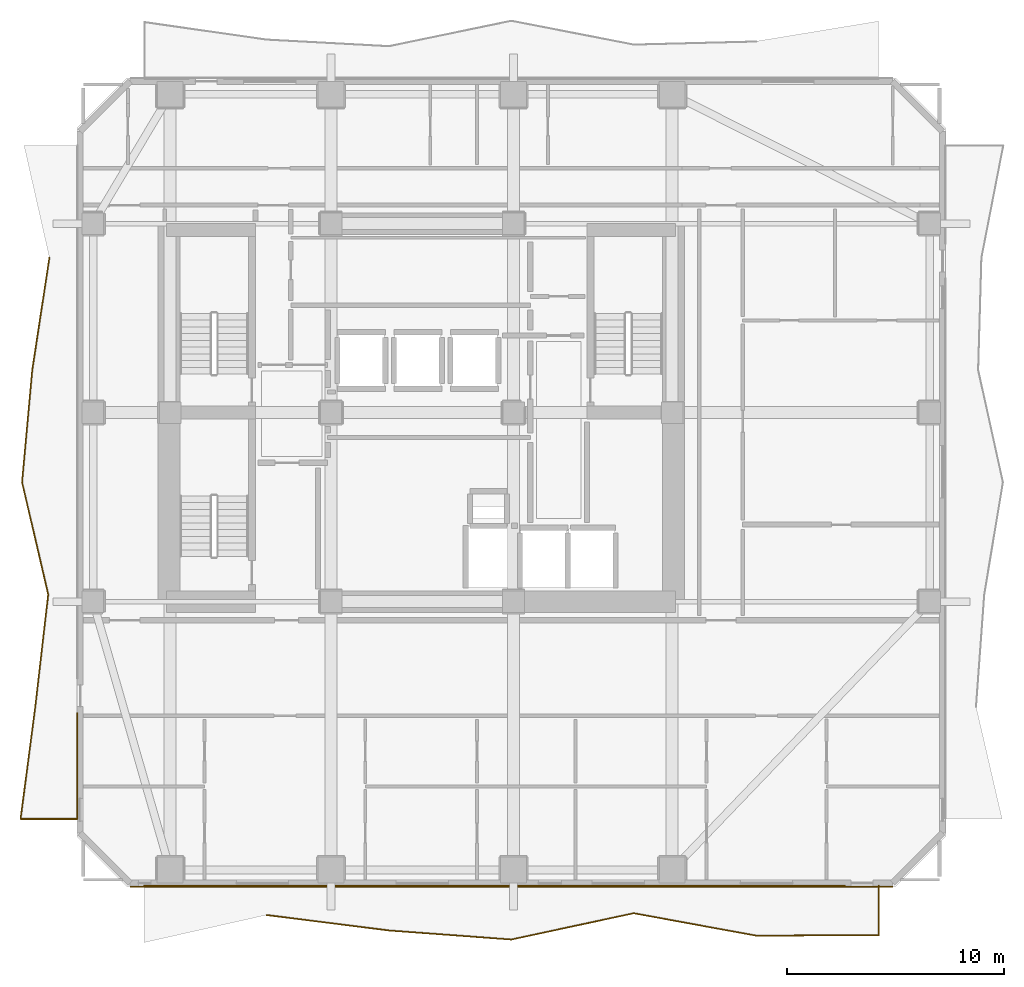
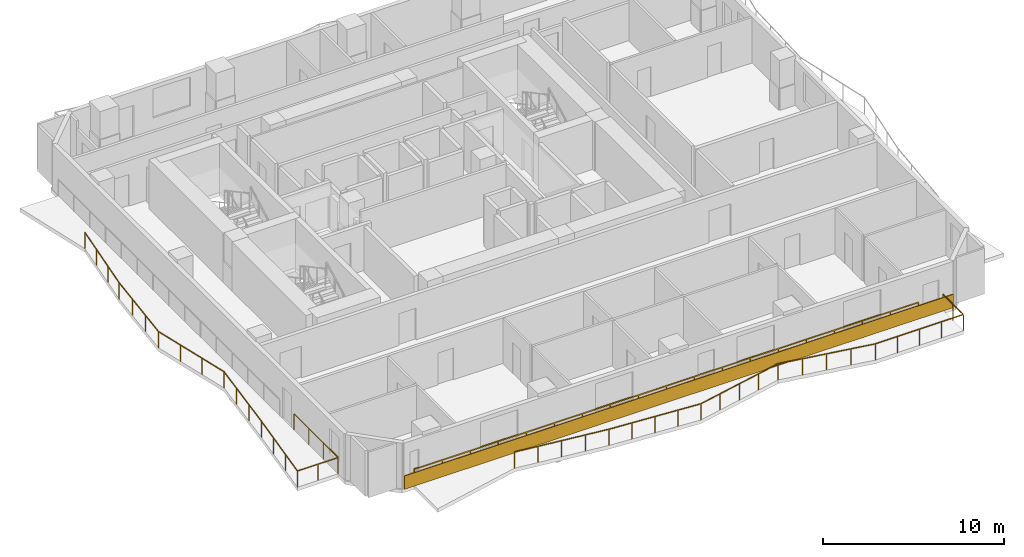
# One storey, part 7 of 9: 3 railings, 1 covering.
"""IFC4 building model written with IfcOpenShell, lengths in metres."""

import ifcopenshell
import ifcopenshell.guid

model = None  # the IFC model being written
_history = None  # IfcOwnerHistory: only IFC2X3 demands one
_inside = {}  # id of a spatial element -> (the spatial element, [elements in it])
_under = {}  # id of a project, library or spatial element -> (it, [spatial elements below it])
_declared = {}  # id of a project -> (the project, [libraries it declares])
_typed = {}  # id of a type object -> (the type object, [elements of that type])
_made_of = {}  # id of a material, layer set ... -> (it, [elements and type objects made of it])


def new_model(schema):
    """Start an empty IFC model of exactly this schema.

    Asked for "IFC4X3", IfcOpenShell would pick the latest addendum, in which some entities
    have other attributes; the version numbers below select the first issue.
    IFC2X3 requires an IfcOwnerHistory on every rooted entity: one is made here for all.
    """
    global model, _history
    if schema == "IFC4X3":
        model = ifcopenshell.file(schema_version=(4, 3, 0, 0))
    else:
        model = ifcopenshell.file(schema=schema)
    _inside.clear()
    _under.clear()
    _declared.clear()
    _typed.clear()
    _made_of.clear()
    _history = None
    if model.schema == "IFC2X3":
        org = make("IfcOrganization", Name="unknown")
        user = make(
            "IfcPersonAndOrganization",
            ThePerson=make("IfcPerson", FamilyName="unknown"),
            TheOrganization=org,
        )
        app = make(
            "IfcApplication",
            ApplicationDeveloper=org,
            Version="unknown",
            ApplicationFullName="unknown",
            ApplicationIdentifier="unknown",
        )
        _history = make(
            "IfcOwnerHistory",
            OwningUser=user,
            OwningApplication=app,
            ChangeAction="ADDED",
            CreationDate=0,
        )
    return model


def make(cls, **values):
    """One entity of the class cls with the attributes given. An attribute that is None is left unset."""
    return model.create_entity(
        cls, **{name: value for name, value in values.items() if value is not None}
    )


def rooted(cls, **values):
    """An entity with a GlobalId (a new one), such as an element, a storey or a relation."""
    return make(cls, GlobalId=ifcopenshell.guid.new(), OwnerHistory=_history, **values)


def si_unit(unit_type, name, prefix=None):
    """IfcSIUnit, for example si_unit("LENGTHUNIT", "METRE", prefix="MILLI")."""
    return make("IfcSIUnit", UnitType=unit_type, Prefix=prefix, Name=name)


def assignment(units):
    """IfcUnitAssignment: the units of a project."""
    return None if units is None else make("IfcUnitAssignment", Units=units)


def point(xyz):
    """IfcCartesianPoint."""
    return None if xyz is None else make("IfcCartesianPoint", Coordinates=xyz)


def direction(xyz):
    """IfcDirection."""
    return None if xyz is None else make("IfcDirection", DirectionRatios=xyz)


def frame(location, z_axis=None, x_axis=None):
    """IfcAxis2Placement3D, a coordinate frame: its origin and axes. An axis left out is left unset."""
    return make(
        "IfcAxis2Placement3D",
        Location=point(location),
        Axis=direction(z_axis),
        RefDirection=direction(x_axis),
    )


def frame_2d(location, x_axis=None):
    """IfcAxis2Placement2D, a coordinate frame in the plane: its origin and x axis."""
    return make(
        "IfcAxis2Placement2D", Location=point(location), RefDirection=direction(x_axis)
    )


def origin():
    """The frame at (0, 0, 0) with its axes left unset."""
    return frame((0.0, 0.0, 0.0))


def origin_2d():
    """The frame at (0, 0) in the plane with its x axis left unset."""
    return frame_2d((0.0, 0.0))


def place(relative_to, where):
    """IfcLocalPlacement: puts the frame where relative to a parent placement (None: the world)."""
    return make(
        "IfcLocalPlacement", PlacementRelTo=relative_to, RelativePlacement=where
    )


def context(
    kind, dimensions, precision=None, world=None, true_north=None, identifier=None
):
    """IfcGeometricRepresentationContext, for example the 3D "Model" context."""
    return make(
        "IfcGeometricRepresentationContext",
        ContextIdentifier=identifier,
        ContextType=kind,
        CoordinateSpaceDimension=dimensions,
        Precision=precision,
        WorldCoordinateSystem=world,
        TrueNorth=true_north,
    )


def subcontext(parent, identifier, kind, view, scale=None):
    """IfcGeometricRepresentationSubContext, for example "Body" below "Model"."""
    return make(
        "IfcGeometricRepresentationSubContext",
        ContextIdentifier=identifier,
        ContextType=kind,
        ParentContext=parent,
        TargetScale=scale,
        TargetView=view,
    )


def project(units=None, contexts=None):
    """IfcProject with its units and contexts."""
    return rooted(
        "IfcProject",
        Name="project",
        RepresentationContexts=contexts,
        UnitsInContext=assignment(units),
    )


def spatial(cls, under=None, at=None, **own):
    """A site, building, storey or space (cls), placed at a placement, below another one or the project."""
    s = rooted(cls, ObjectPlacement=at, **own)
    if under is not None:
        _under.setdefault(under.id(), (under, []))[1].append(s)
    return s


def profile(cls, at=None, kind="AREA", **sizes):
    """A parametric profile (cls). Its sizes go by their IFC names, for example OverallWidth=200.0."""
    return make(cls, ProfileType=kind, Position=at, **sizes)


def rectangle(**sizes):
    """IfcRectangleProfileDef."""
    return profile("IfcRectangleProfileDef", **sizes)


def extrude(swept, where, along, depth):
    """IfcExtrudedAreaSolid: the profile swept, set in the frame where, extruded along a direction by depth."""
    return make(
        "IfcExtrudedAreaSolid",
        SweptArea=swept,
        Position=where,
        ExtrudedDirection=direction(along),
        Depth=depth,
    )


def shape(context_of_items, identifier, shape_type, items):
    """IfcShapeRepresentation: the items that make up one representation, for example the "Body"."""
    return make(
        "IfcShapeRepresentation",
        ContextOfItems=context_of_items,
        RepresentationIdentifier=identifier,
        RepresentationType=shape_type,
        Items=items,
    )


def material(Name=None, Category=None):
    """IfcMaterial."""
    return make("IfcMaterial", Name=Name, Category=Category)


def layer(
    of_material, thickness, ventilated=None, Name=None, Category=None, Priority=None
):
    """IfcMaterialLayer: one layer of a wall or slab, of a material (None: an air gap)."""
    return make(
        "IfcMaterialLayer",
        Material=of_material,
        LayerThickness=thickness,
        IsVentilated=ventilated,
        Name=Name,
        Category=Category,
        Priority=Priority,
    )


def layer_set(layers, Name=None):
    """IfcMaterialLayerSet."""
    return make("IfcMaterialLayerSet", MaterialLayers=layers, LayerSetName=Name)


def made_of(thing, what):
    """Note that an element or type object is made of a material, layer set ...; save() writes the relation."""
    if what is not None:
        _made_of.setdefault(what.id(), (what, []))[1].append(thing)
    return thing


def type_object(cls, material=None, **own):
    """A type object (cls), such as IfcWallType, which elements share."""
    return made_of(rooted(cls, **own), material)


def element(
    cls,
    number,
    at=None,
    inside=None,
    cuts=None,
    type_object=None,
    material=None,
    context=None,
    identifier="Body",
    shape_type=None,
    held_by="IfcProductDefinitionShape",
    body=None,
    shapes=None,
    **own,
):
    """One element of the class cls, such as IfcWall. Its Tag is "e" and its number.

    at: its placement. inside: the storey or other place that contains it. cuts: it is an
    opening in that element (IfcRelVoidsElement). A single representation is given by context,
    identifier, shape_type and body (its items); several are given by shapes. held_by: the class
    of the entity that holds the representations. save() writes the other relations.
    """
    e = rooted(cls, Tag="e%d" % number, ObjectPlacement=at, **own)
    if body is not None:
        shapes = [shape(context, identifier, shape_type, body)]
    if shapes is not None:
        e.Representation = make(held_by, Representations=shapes)
    if inside is not None:
        _inside.setdefault(inside.id(), (inside, []))[1].append(e)
    if cuts is not None:
        rooted(
            "IfcRelVoidsElement", RelatingBuildingElement=cuts, RelatedOpeningElement=e
        )
    if type_object is not None:
        _typed.setdefault(type_object.id(), (type_object, []))[1].append(e)
    return made_of(e, material)


def aggregate(whole, parts):
    """IfcRelAggregates: a whole, such as a stair, and the parts it consists of."""
    return rooted("IfcRelAggregates", RelatingObject=whole, RelatedObjects=parts)


def save(model, path):
    """Write the relations noted so far, then the file.

    IfcRelAggregates (storeys below a building ...), IfcRelContainedInSpatialStructure (elements
    in a storey), IfcRelDefinesByType, IfcRelAssociatesMaterial and IfcRelDeclares: one each for
    every whole, place, type object, material and project.
    """
    for whole, parts in _under.values():
        aggregate(whole, parts)
    for where, things in _inside.values():
        rooted(
            "IfcRelContainedInSpatialStructure",
            RelatedElements=things,
            RelatingStructure=where,
        )
    for kind, things in _typed.values():
        rooted("IfcRelDefinesByType", RelatedObjects=things, RelatingType=kind)
    for what, things in _made_of.values():
        rooted("IfcRelAssociatesMaterial", RelatedObjects=things, RelatingMaterial=what)
    for by, libraries in _declared.values():
        rooted("IfcRelDeclares", RelatingContext=by, RelatedDefinitions=libraries)
    model.write(path)


model = new_model("IFC4")

# Units and contexts
model_context = context("Model", 3, precision=1e-05, world=origin(), true_north=direction((0.0, 1.0)))
body_context = subcontext(model_context, "Body", "Model", "MODEL_VIEW")
ifc_project = project(units=[si_unit("LENGTHUNIT", "METRE"), si_unit("AREAUNIT", "SQUARE_METRE"), si_unit("VOLUMEUNIT", "CUBIC_METRE"), si_unit("PLANEANGLEUNIT", "RADIAN"), si_unit("MASSUNIT", "GRAM", prefix="KILO")], contexts=[model_context])

# Site, building, storey
site_placement = place(None, origin())
site = spatial("IfcSite", under=ifc_project, at=site_placement, CompositionType="ELEMENT")
building_placement = place(site_placement, origin())
building = spatial("IfcBuilding", under=site, at=building_placement, Name="Solanera Arch Residences", CompositionType="ELEMENT")
storey_placement = place(building_placement, frame((0.0, 0.0, 135.9599609375)))
storey = spatial("IfcBuildingStorey", under=building, at=storey_placement, Name="L39", CompositionType="ELEMENT", Elevation=135.9599609375)

# Railings
ifc_material_1 = material(Name="Steel S355 (ASTM A992 / A572 Grade 50)", Category="steel")
railing_type = type_object("IfcRailingType", Name="Balustrade Railing BL-1100", PredefinedType="BALUSTRADE", material=ifc_material_1)
railing_1_placement = place(storey_placement, frame((17.8330078125, 7.5791015625, 0.0)))
element("IfcRailing", 1, at=railing_1_placement, inside=storey, type_object=railing_type, Name="L39 S Balcony Balustrade 1", PredefinedType="BALUSTRADE", context=body_context, shape_type="SweptSolid", body=[
    extrude(rectangle(XDim=0.048095703125, YDim=0.048095703125, at=origin_2d()), frame((0.0, 0.0, 1.09619140625), z_axis=(0.992105627374, -0.125405040302, 0.0), x_axis=(0.125405040302, 0.992105627374, 0.0)), (0.0, 0.0, 1.0), 5.678955078125),
    extrude(rectangle(XDim=0.048095703125, YDim=0.048095703125, at=origin_2d()), frame((5.634033203125, -0.712158203125, 1.09619140625), z_axis=(0.997284005213, -0.07365197178, 0.0), x_axis=(0.07365197178, 0.997284005213, 0.0)), (0.0, 0.0, 1.0), 5.6484375),
    extrude(rectangle(XDim=0.048095703125, YDim=0.048095703125, at=origin_2d()), frame((11.26708984375, -1.128173828125, 1.09619140625), z_axis=(0.977698110362, 0.210015249435, 0.0), x_axis=(-0.210015249435, 0.977698110362, 0.0)), (0.0, 0.0, 1.0), 5.76123046875),
    extrude(rectangle(XDim=0.048095703125, YDim=0.048095703125, at=origin_2d()), frame((16.89990234375, 0.081787109375, 1.09619140625), z_axis=(0.983635148134, -0.180171849511, 0.0), x_axis=(0.180171849511, 0.983635148134, 0.0)), (0.0, 0.0, 1.0), 5.727783203125),
    extrude(rectangle(XDim=0.048095703125, YDim=0.048095703125, at=origin_2d()), frame((22.533935546875, -0.9501953125, 1.09619140625), z_axis=(0.999990036089, 0.004464047749, 0.0), x_axis=(-0.004464047749, 0.999990036089, 0.0)), (0.0, 0.0, 1.0), 5.633056640625),
    extrude(rectangle(XDim=0.048095703125, YDim=0.048095703125, at=origin_2d()), frame((28.1669921875, -0.925048828125, 1.09619140625), z_axis=(0.0, 1.0, 0.0), x_axis=(-1.0, 0.0, 0.0)), (0.0, 0.0, 1.0), 2.265869140625),
    extrude(rectangle(XDim=0.0419921875, YDim=0.0419921875, at=origin_2d()), origin(), (0.0, 0.0, 1.0), 1.072021484375),
    extrude(rectangle(XDim=0.0419921875, YDim=0.0419921875, at=origin_2d()), frame((1.408447265625, -0.177978515625, 0.0)), (0.0, 0.0, 1.0), 1.072021484375),
    extrude(rectangle(XDim=0.0419921875, YDim=0.0419921875, at=origin_2d()), frame((2.81689453125, -0.35595703125, 0.0)), (0.0, 0.0, 1.0), 1.072021484375),
    extrude(rectangle(XDim=0.0419921875, YDim=0.0419921875, at=origin_2d()), frame((4.2255859375, -0.5341796875, 0.0)), (0.0, 0.0, 1.0), 1.072021484375),
    extrude(rectangle(XDim=0.0419921875, YDim=0.0419921875, at=origin_2d()), frame((5.634033203125, -0.712158203125, 0.0)), (0.0, 0.0, 1.0), 1.072021484375),
    extrude(rectangle(XDim=0.0419921875, YDim=0.0419921875, at=origin_2d()), frame((7.042236328125, -0.816162109375, 0.0)), (0.0, 0.0, 1.0), 1.072021484375),
    extrude(rectangle(XDim=0.0419921875, YDim=0.0419921875, at=origin_2d()), frame((8.45068359375, -0.920166015625, 0.0)), (0.0, 0.0, 1.0), 1.072021484375),
    extrude(rectangle(XDim=0.0419921875, YDim=0.0419921875, at=origin_2d()), frame((9.85888671875, -1.024169921875, 0.0)), (0.0, 0.0, 1.0), 1.072021484375),
    extrude(rectangle(XDim=0.0419921875, YDim=0.0419921875, at=origin_2d()), frame((11.26708984375, -1.128173828125, 0.0)), (0.0, 0.0, 1.0), 1.072021484375),
    extrude(rectangle(XDim=0.0419921875, YDim=0.0419921875, at=origin_2d()), frame((12.67529296875, -0.82568359375, 0.0)), (0.0, 0.0, 1.0), 1.072021484375),
    extrude(rectangle(XDim=0.0419921875, YDim=0.0419921875, at=origin_2d()), frame((14.08349609375, -0.523193359375, 0.0)), (0.0, 0.0, 1.0), 1.072021484375),
    extrude(rectangle(XDim=0.0419921875, YDim=0.0419921875, at=origin_2d()), frame((15.49169921875, -0.220703125, 0.0)), (0.0, 0.0, 1.0), 1.072021484375),
    extrude(rectangle(XDim=0.0419921875, YDim=0.0419921875, at=origin_2d()), frame((16.89990234375, 0.081787109375, 0.0)), (0.0, 0.0, 1.0), 1.072021484375),
    extrude(rectangle(XDim=0.0419921875, YDim=0.0419921875, at=origin_2d()), frame((18.308349609375, -0.17626953125, 0.0)), (0.0, 0.0, 1.0), 1.072021484375),
    extrude(rectangle(XDim=0.0419921875, YDim=0.0419921875, at=origin_2d()), frame((19.716796875, -0.43408203125, 0.0)), (0.0, 0.0, 1.0), 1.072021484375),
    extrude(rectangle(XDim=0.0419921875, YDim=0.0419921875, at=origin_2d()), frame((21.12548828125, -0.692138671875, 0.0)), (0.0, 0.0, 1.0), 1.072021484375),
    extrude(rectangle(XDim=0.0419921875, YDim=0.0419921875, at=origin_2d()), frame((22.533935546875, -0.9501953125, 0.0)), (0.0, 0.0, 1.0), 1.072021484375),
    extrude(rectangle(XDim=0.0419921875, YDim=0.0419921875, at=origin_2d()), frame((23.942138671875, -0.94384765625, 0.0)), (0.0, 0.0, 1.0), 1.072021484375),
    extrude(rectangle(XDim=0.0419921875, YDim=0.0419921875, at=origin_2d()), frame((25.3505859375, -0.9375, 0.0)), (0.0, 0.0, 1.0), 1.072021484375),
    extrude(rectangle(XDim=0.0419921875, YDim=0.0419921875, at=origin_2d()), frame((26.7587890625, -0.931396484375, 0.0)), (0.0, 0.0, 1.0), 1.072021484375),
    extrude(rectangle(XDim=0.0419921875, YDim=0.0419921875, at=origin_2d()), frame((28.1669921875, -0.925048828125, 0.0)), (0.0, 0.0, 1.0), 1.072021484375),
    extrude(rectangle(XDim=0.0419921875, YDim=0.0419921875, at=origin_2d()), frame((28.1669921875, 0.2080078125, 0.0)), (0.0, 0.0, 1.0), 1.072021484375),
    extrude(rectangle(XDim=0.0419921875, YDim=0.0419921875, at=origin_2d()), frame((28.1669921875, 1.3408203125, 0.0)), (0.0, 0.0, 1.0), 1.072021484375),
])
railing_2_placement = place(storey_placement, frame((44.44091796875, 8.919921875, 0.0)))
element("IfcRailing", 2, at=railing_2_placement, inside=storey, type_object=railing_type, Name="L39 S Balcony Balustrade 2", PredefinedType="BALUSTRADE", context=body_context, shape_type="SweptSolid", body=[
    extrude(rectangle(XDim=0.048095703125, YDim=0.048095703125, at=origin_2d()), frame((0.0, 0.0, 1.09619140625), z_axis=(-1.0, 0.0, 0.0), x_axis=(0.0, -1.0, 0.0)), (0.0, 0.0, 1.0), 32.240966796875),
    extrude(rectangle(XDim=0.0419921875, YDim=0.0419921875, at=origin_2d()), origin(), (0.0, 0.0, 1.0), 1.072021484375),
    extrude(rectangle(XDim=0.0419921875, YDim=0.0419921875, at=origin_2d()), frame((-1.791259765625, 0.0, 0.0)), (0.0, 0.0, 1.0), 1.072021484375),
    extrude(rectangle(XDim=0.0419921875, YDim=0.0419921875, at=origin_2d()), frame((-3.582275390625, 0.0, 0.0)), (0.0, 0.0, 1.0), 1.072021484375),
    extrude(rectangle(XDim=0.0419921875, YDim=0.0419921875, at=origin_2d()), frame((-5.37353515625, 0.0, 0.0)), (0.0, 0.0, 1.0), 1.072021484375),
    extrude(rectangle(XDim=0.0419921875, YDim=0.0419921875, at=origin_2d()), frame((-7.16455078125, 0.0, 0.0)), (0.0, 0.0, 1.0), 1.072021484375),
    extrude(rectangle(XDim=0.0419921875, YDim=0.0419921875, at=origin_2d()), frame((-8.955810546875, 0.0, 0.0)), (0.0, 0.0, 1.0), 1.072021484375),
    extrude(rectangle(XDim=0.0419921875, YDim=0.0419921875, at=origin_2d()), frame((-10.7470703125, 0.0, 0.0)), (0.0, 0.0, 1.0), 1.072021484375),
    extrude(rectangle(XDim=0.0419921875, YDim=0.0419921875, at=origin_2d()), frame((-12.5380859375, 0.0, 0.0)), (0.0, 0.0, 1.0), 1.072021484375),
    extrude(rectangle(XDim=0.0419921875, YDim=0.0419921875, at=origin_2d()), frame((-14.329345703125, 0.0, 0.0)), (0.0, 0.0, 1.0), 1.072021484375),
    extrude(rectangle(XDim=0.0419921875, YDim=0.0419921875, at=origin_2d()), frame((-16.12060546875, 0.0, 0.0)), (0.0, 0.0, 1.0), 1.072021484375),
    extrude(rectangle(XDim=0.0419921875, YDim=0.0419921875, at=origin_2d()), frame((-17.91162109375, 0.0, 0.0)), (0.0, 0.0, 1.0), 1.072021484375),
    extrude(rectangle(XDim=0.0419921875, YDim=0.0419921875, at=origin_2d()), frame((-19.702880859375, 0.0, 0.0)), (0.0, 0.0, 1.0), 1.072021484375),
    extrude(rectangle(XDim=0.0419921875, YDim=0.0419921875, at=origin_2d()), frame((-21.493896484375, 0.0, 0.0)), (0.0, 0.0, 1.0), 1.072021484375),
    extrude(rectangle(XDim=0.0419921875, YDim=0.0419921875, at=origin_2d()), frame((-23.28515625, 0.0, 0.0)), (0.0, 0.0, 1.0), 1.072021484375),
    extrude(rectangle(XDim=0.0419921875, YDim=0.0419921875, at=origin_2d()), frame((-25.076416015625, 0.0, 0.0)), (0.0, 0.0, 1.0), 1.072021484375),
    extrude(rectangle(XDim=0.0419921875, YDim=0.0419921875, at=origin_2d()), frame((-26.867431640625, 0.0, 0.0)), (0.0, 0.0, 1.0), 1.072021484375),
    extrude(rectangle(XDim=0.0419921875, YDim=0.0419921875, at=origin_2d()), frame((-28.65869140625, 0.0, 0.0)), (0.0, 0.0, 1.0), 1.072021484375),
    extrude(rectangle(XDim=0.0419921875, YDim=0.0419921875, at=origin_2d()), frame((-30.44970703125, 0.0, 0.0)), (0.0, 0.0, 1.0), 1.072021484375),
    extrude(rectangle(XDim=0.0419921875, YDim=0.0419921875, at=origin_2d()), frame((-32.240966796875, 0.0, 0.0)), (0.0, 0.0, 1.0), 1.072021484375),
])
railing_3_placement = place(storey_placement, frame((7.837890625, 37.8330078125, 0.0)))
element("IfcRailing", 3, at=railing_3_placement, inside=storey, type_object=railing_type, Name="L39 W Balcony Balustrade 1", PredefinedType="BALUSTRADE", context=body_context, shape_type="SweptSolid", body=[
    extrude(rectangle(XDim=0.048095703125, YDim=0.048095703125, at=origin_2d()), frame((0.0, 0.0, 1.09619140625), z_axis=(-0.150944239237, -0.988542278631, 0.0), x_axis=(0.988542278631, -0.150944239237, 0.0)), (0.0, 0.0, 1.0), 5.225830078125),
    extrude(rectangle(XDim=0.048095703125, YDim=0.048095703125, at=origin_2d()), frame((-0.788818359375, -5.166015625, 1.09619140625), z_axis=(-0.090395732471, -0.995905925051, 0.0), x_axis=(0.995905925051, -0.090395732471, 0.0)), (0.0, 0.0, 1.0), 5.188232421875),
    extrude(rectangle(XDim=0.048095703125, YDim=0.048095703125, at=origin_2d()), frame((-1.2578125, -10.3330078125, 1.09619140625), z_axis=(0.226912475326, -0.973915154693, 0.0), x_axis=(0.973915154693, 0.226912475326, 0.0)), (0.0, 0.0, 1.0), 5.305419921875),
    extrude(rectangle(XDim=0.048095703125, YDim=0.048095703125, at=origin_2d()), frame((-0.053955078125, -15.5, 1.09619140625), z_axis=(-0.114599160596, -0.993411814099, 0.0), x_axis=(0.993411814099, -0.114599160596, 0.0)), (0.0, 0.0, 1.0), 5.2001953125),
    extrude(rectangle(XDim=0.048095703125, YDim=0.048095703125, at=origin_2d()), frame((-0.64990234375, -20.666015625, 1.09619140625), z_axis=(-0.12991398448, -0.991525267775, 0.0), x_axis=(0.991525267775, -0.12991398448, 0.0)), (0.0, 0.0, 1.0), 5.211181640625),
    extrude(rectangle(XDim=0.048095703125, YDim=0.048095703125, at=origin_2d()), frame((-1.326904296875, -25.8330078125, 1.09619140625), z_axis=(1.0, 0.0, 0.0), x_axis=(0.0, 1.0, 0.0)), (0.0, 0.0, 1.0), 2.609130859375),
    extrude(rectangle(XDim=0.048095703125, YDim=0.048095703125, at=origin_2d()), frame((1.2822265625, -25.8330078125, 1.09619140625), z_axis=(0.0, 1.0, 0.0), x_axis=(-1.0, 0.0, 0.0)), (0.0, 0.0, 1.0), 4.873046875),
    extrude(rectangle(XDim=0.0419921875, YDim=0.0419921875, at=origin_2d()), origin(), (0.0, 0.0, 1.0), 1.072021484375),
    extrude(rectangle(XDim=0.0419921875, YDim=0.0419921875, at=origin_2d()), frame((-0.262939453125, -1.721923828125, 0.0)), (0.0, 0.0, 1.0), 1.072021484375),
    extrude(rectangle(XDim=0.0419921875, YDim=0.0419921875, at=origin_2d()), frame((-0.52587890625, -3.444091796875, 0.0)), (0.0, 0.0, 1.0), 1.072021484375),
    extrude(rectangle(XDim=0.0419921875, YDim=0.0419921875, at=origin_2d()), frame((-0.788818359375, -5.166015625, 0.0)), (0.0, 0.0, 1.0), 1.072021484375),
    extrude(rectangle(XDim=0.0419921875, YDim=0.0419921875, at=origin_2d()), frame((-0.945068359375, -6.888427734375, 0.0)), (0.0, 0.0, 1.0), 1.072021484375),
    extrude(rectangle(XDim=0.0419921875, YDim=0.0419921875, at=origin_2d()), frame((-1.1015625, -8.610595703125, 0.0)), (0.0, 0.0, 1.0), 1.072021484375),
    extrude(rectangle(XDim=0.0419921875, YDim=0.0419921875, at=origin_2d()), frame((-1.2578125, -10.3330078125, 0.0)), (0.0, 0.0, 1.0), 1.072021484375),
    extrude(rectangle(XDim=0.0419921875, YDim=0.0419921875, at=origin_2d()), frame((-0.8564453125, -12.055419921875, 0.0)), (0.0, 0.0, 1.0), 1.072021484375),
    extrude(rectangle(XDim=0.0419921875, YDim=0.0419921875, at=origin_2d()), frame((-0.455322265625, -13.777587890625, 0.0)), (0.0, 0.0, 1.0), 1.072021484375),
    extrude(rectangle(XDim=0.0419921875, YDim=0.0419921875, at=origin_2d()), frame((-0.053955078125, -15.5, 0.0)), (0.0, 0.0, 1.0), 1.072021484375),
    extrude(rectangle(XDim=0.0419921875, YDim=0.0419921875, at=origin_2d()), frame((-0.252685546875, -17.221923828125, 0.0)), (0.0, 0.0, 1.0), 1.072021484375),
    extrude(rectangle(XDim=0.0419921875, YDim=0.0419921875, at=origin_2d()), frame((-0.451171875, -18.944091796875, 0.0)), (0.0, 0.0, 1.0), 1.072021484375),
    extrude(rectangle(XDim=0.0419921875, YDim=0.0419921875, at=origin_2d()), frame((-0.64990234375, -20.666015625, 0.0)), (0.0, 0.0, 1.0), 1.072021484375),
    extrude(rectangle(XDim=0.0419921875, YDim=0.0419921875, at=origin_2d()), frame((-0.87548828125, -22.388427734375, 0.0)), (0.0, 0.0, 1.0), 1.072021484375),
    extrude(rectangle(XDim=0.0419921875, YDim=0.0419921875, at=origin_2d()), frame((-1.101318359375, -24.110595703125, 0.0)), (0.0, 0.0, 1.0), 1.072021484375),
    extrude(rectangle(XDim=0.0419921875, YDim=0.0419921875, at=origin_2d()), frame((-1.326904296875, -25.8330078125, 0.0)), (0.0, 0.0, 1.0), 1.072021484375),
    extrude(rectangle(XDim=0.0419921875, YDim=0.0419921875, at=origin_2d()), frame((-0.0224609375, -25.8330078125, 0.0)), (0.0, 0.0, 1.0), 1.072021484375),
    extrude(rectangle(XDim=0.0419921875, YDim=0.0419921875, at=origin_2d()), frame((1.2822265625, -25.8330078125, 0.0)), (0.0, 0.0, 1.0), 1.072021484375),
    extrude(rectangle(XDim=0.0419921875, YDim=0.0419921875, at=origin_2d()), frame((1.2822265625, -24.208740234375, 0.0)), (0.0, 0.0, 1.0), 1.072021484375),
    extrude(rectangle(XDim=0.0419921875, YDim=0.0419921875, at=origin_2d()), frame((1.2822265625, -22.584228515625, 0.0)), (0.0, 0.0, 1.0), 1.072021484375),
    extrude(rectangle(XDim=0.0419921875, YDim=0.0419921875, at=origin_2d()), frame((1.2822265625, -20.9599609375, 0.0)), (0.0, 0.0, 1.0), 1.072021484375),
])

# Covering
ifc_material_2 = material(Name="Philippine Adobe Travertine Cladding", Category="masonry")
ifc_layer = layer(ifc_material_2, 0.06005859375)
ifc_layer_set = layer_set([ifc_layer], Name="Philippine Adobe Travertine Cladding")
covering_type = type_object("IfcCoveringType", Name="Precast Pier Stone Cladding CLD-60", PredefinedType="CLADDING", material=ifc_layer_set)
covering_placement = place(storey_placement, frame((46.64501953125, 8.885009765625, 0.0), z_axis=(0.0, 0.0, 1.0), x_axis=(-1.0, 0.0, 0.0)))
element("IfcCovering", 4, at=covering_placement, inside=storey, type_object=covering_type, Name="L39 S Precast Spandrel Stone Band", PredefinedType="CLADDING", context=body_context, shape_type="SweptSolid", body=[
    extrude(rectangle(XDim=35.090087890625, YDim=0.06005859375, at=frame_2d((17.544921875, 0.0))), origin(), (0.0, 0.0, 1.0), 0.900146484375),
])

save(model, "model.ifc")
